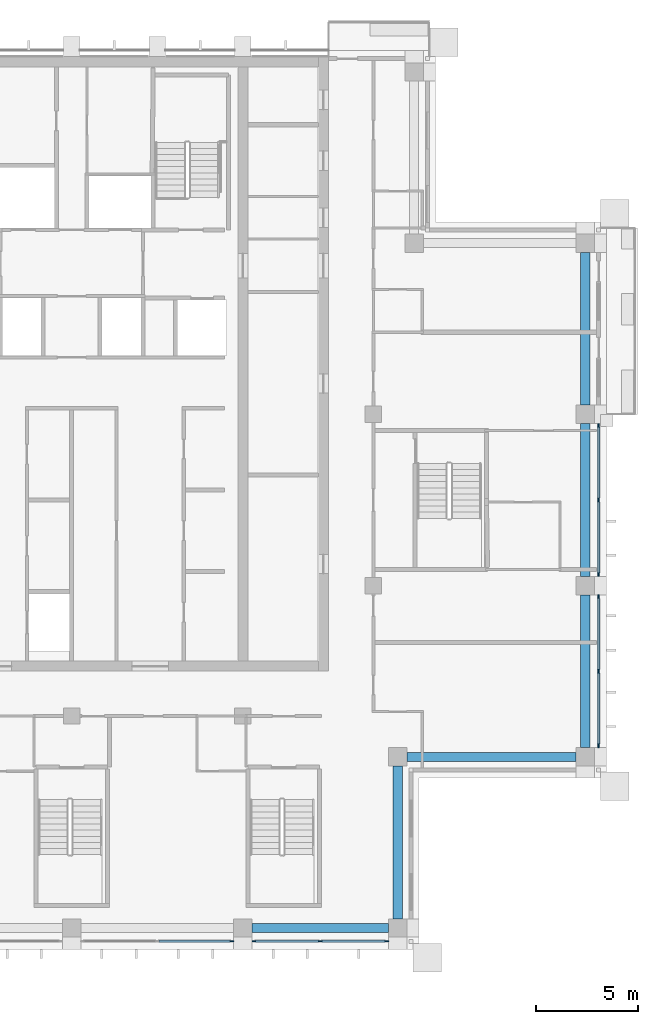
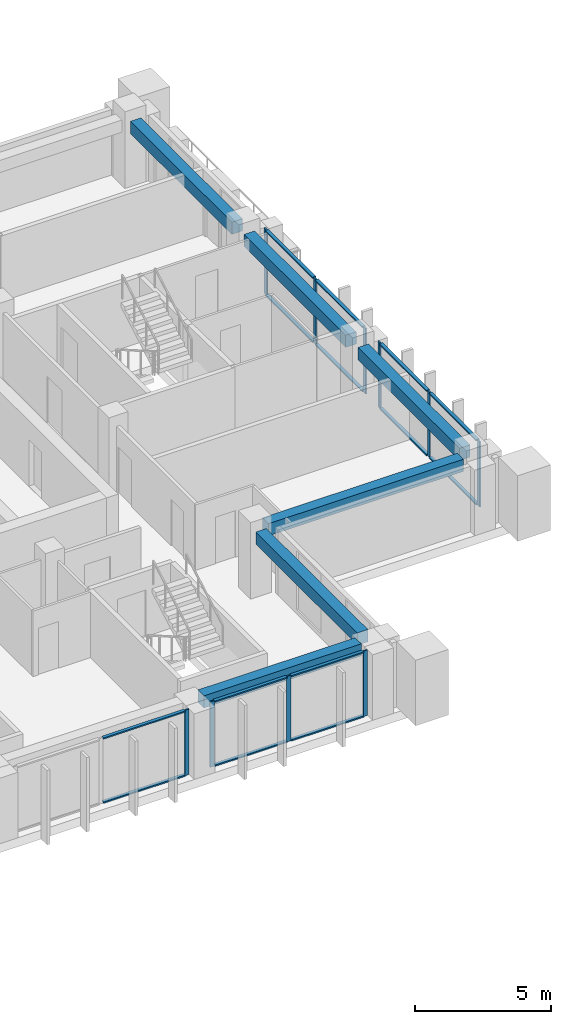
# One storey, part 5 of 18: 24 members, 6 beams, 4 elements without a shape of their own.
"""IFC4 building model written with IfcOpenShell, lengths in metres."""

from ifc_helpers import new_model, si_unit, direction, frame, origin, origin_2d, place, context, subcontext, project, spatial, rectangle, extrude, material, material_profile, profile_set, type_object, element, aggregate, save


model = new_model("IFC4")

# Units and contexts
model_context = context("Model", 3, precision=1e-05, world=origin(), true_north=direction((0.0, 1.0)))
body_context = subcontext(model_context, "Body", "Model", "MODEL_VIEW")
ifc_project = project(units=[si_unit("LENGTHUNIT", "METRE"), si_unit("AREAUNIT", "SQUARE_METRE"), si_unit("VOLUMEUNIT", "CUBIC_METRE"), si_unit("PLANEANGLEUNIT", "RADIAN"), si_unit("MASSUNIT", "GRAM", prefix="KILO")], contexts=[model_context])

# Site, building, storey
site_placement = place(None, origin())
site = spatial("IfcSite", under=ifc_project, at=site_placement, CompositionType="ELEMENT")
building_placement = place(site_placement, origin())
building = spatial("IfcBuilding", under=site, at=building_placement, Name="Vermilion Ogive Tower", CompositionType="ELEMENT")
storey_placement = place(building_placement, frame((0.0, 0.0, 261.39990234375)))
storey = spatial("IfcBuildingStorey", under=building, at=storey_placement, Name="L69", CompositionType="ELEMENT", Elevation=261.39990234375)

# Curtain wall, member
ifc_material_1 = material(Name="Low-iron laminated glazing in aluminium frame", Category="aluminium")
curtain_wall_type = type_object("IfcCurtainWallType", Name="Curtain wall CW7", PredefinedType="NOTDEFINED", material=ifc_material_1)
curtain_wall_1_placement = place(storey_placement, origin())
curtain_wall_1 = element("IfcCurtainWall", 1, at=curtain_wall_1_placement, inside=storey, type_object=curtain_wall_type, Name="Glazed skin S3", PredefinedType="NOTDEFINED")
ifc_material_2 = material(Name="Aluminium mullion", Category="aluminium")
ifc_material_profile_1 = material_profile(ifc_material_2, rectangle(XDim=0.06005859375, YDim=0.179931640625, at=origin_2d()), Name="AL 60x180")
ifc_profile_set_1 = profile_set([ifc_material_profile_1], Name="Aluminium mullion")
member_type_1 = type_object("IfcMemberType", Name="CW7 mullion 60x180", PredefinedType="MULLION", material=ifc_profile_set_1)
member_1_placement = place(storey_placement, frame((7.860107421875, -21.64990234375, 0.0), z_axis=(0.0, 0.0, 1.0), x_axis=(0.0, 1.0, 0.0)))
member_1 = element("IfcMember", 2, at=member_1_placement, type_object=member_type_1, Name="CW7-S3 mullion 3", PredefinedType="MULLION", context=body_context, shape_type="SweptSolid", body=[
    extrude(rectangle(XDim=0.06005859375, YDim=0.179931640625, at=origin_2d()), origin(), (0.0, 0.0, 1.0), 2.9501953125),
])

# Curtain wall, members
curtain_wall_2_placement = place(storey_placement, origin())
curtain_wall_2 = element("IfcCurtainWall", 3, at=curtain_wall_2_placement, inside=storey, type_object=curtain_wall_type, Name="Glazed skin S4", PredefinedType="NOTDEFINED")
member_2_placement = place(storey_placement, frame((8.93994140625, -21.64990234375, 0.0), z_axis=(0.0, 0.0, 1.0), x_axis=(0.0, 1.0, 0.0)))
member_2 = element("IfcMember", 4, at=member_2_placement, type_object=member_type_1, Name="CW7-S4 mullion 1", PredefinedType="MULLION", context=body_context, shape_type="SweptSolid", body=[
    extrude(rectangle(XDim=0.06005859375, YDim=0.179931640625, at=origin_2d()), origin(), (0.0, 0.0, 1.0), 2.9501953125),
])
member_3_placement = place(storey_placement, frame((12.199951171875, -21.64990234375, 0.0), z_axis=(0.0, 0.0, 1.0), x_axis=(0.0, 1.0, 0.0)))
member_3 = element("IfcMember", 5, at=member_3_placement, type_object=member_type_1, Name="CW7-S4 mullion 2", PredefinedType="MULLION", context=body_context, shape_type="SweptSolid", body=[
    extrude(rectangle(XDim=0.06005859375, YDim=0.179931640625, at=origin_2d()), origin(), (0.0, 0.0, 1.0), 2.9501953125),
])
member_4_placement = place(storey_placement, frame((15.4599609375, -21.64990234375, 0.0), z_axis=(0.0, 0.0, 1.0), x_axis=(0.0, 1.0, 0.0)))
member_4 = element("IfcMember", 6, at=member_4_placement, type_object=member_type_1, Name="CW7-S4 mullion 3", PredefinedType="MULLION", context=body_context, shape_type="SweptSolid", body=[
    extrude(rectangle(XDim=0.06005859375, YDim=0.179931640625, at=origin_2d()), origin(), (0.0, 0.0, 1.0), 2.9501953125),
])

curtain_wall_3_placement = place(storey_placement, origin())
curtain_wall_3 = element("IfcCurtainWall", 7, at=curtain_wall_3_placement, inside=storey, type_object=curtain_wall_type, Name="Glazed skin E1", PredefinedType="NOTDEFINED")
member_5_placement = place(storey_placement, frame((25.85009765625, -12.06005859375, 0.0), z_axis=(0.0, 0.0, 1.0), x_axis=(-1.0, 0.0, 0.0)))
member_5 = element("IfcMember", 8, at=member_5_placement, type_object=member_type_1, Name="CW7-E1 mullion 1", PredefinedType="MULLION", context=body_context, shape_type="SweptSolid", body=[
    extrude(rectangle(XDim=0.06005859375, YDim=0.179931640625, at=origin_2d()), origin(), (0.0, 0.0, 1.0), 2.9501953125),
])
member_6_placement = place(storey_placement, frame((25.85009765625, -8.39990234375, 0.0), z_axis=(0.0, 0.0, 1.0), x_axis=(-1.0, 0.0, 0.0)))
member_6 = element("IfcMember", 9, at=member_6_placement, type_object=member_type_1, Name="CW7-E1 mullion 2", PredefinedType="MULLION", context=body_context, shape_type="SweptSolid", body=[
    extrude(rectangle(XDim=0.06005859375, YDim=0.179931640625, at=origin_2d()), origin(), (0.0, 0.0, 1.0), 2.9501953125),
])
member_7_placement = place(storey_placement, frame((25.85009765625, -4.739990234375, 0.0), z_axis=(0.0, 0.0, 1.0), x_axis=(-1.0, 0.0, 0.0)))
member_7 = element("IfcMember", 10, at=member_7_placement, type_object=member_type_1, Name="CW7-E1 mullion 3", PredefinedType="MULLION", context=body_context, shape_type="SweptSolid", body=[
    extrude(rectangle(XDim=0.06005859375, YDim=0.179931640625, at=origin_2d()), origin(), (0.0, 0.0, 1.0), 2.9501953125),
])

curtain_wall_4_placement = place(storey_placement, origin())
curtain_wall_4 = element("IfcCurtainWall", 11, at=curtain_wall_4_placement, inside=storey, type_object=curtain_wall_type, Name="Glazed skin E2", PredefinedType="NOTDEFINED")
member_8_placement = place(storey_placement, frame((25.85009765625, -3.659912109375, 0.0), z_axis=(0.0, 0.0, 1.0), x_axis=(-1.0, 0.0, 0.0)))
member_8 = element("IfcMember", 12, at=member_8_placement, type_object=member_type_1, Name="CW7-E2 mullion 1", PredefinedType="MULLION", context=body_context, shape_type="SweptSolid", body=[
    extrude(rectangle(XDim=0.06005859375, YDim=0.179931640625, at=origin_2d()), origin(), (0.0, 0.0, 1.0), 2.9501953125),
])
member_9_placement = place(storey_placement, frame((25.85009765625, 0.0, 0.0), z_axis=(0.0, 0.0, 1.0), x_axis=(-1.0, 0.0, 0.0)))
member_9 = element("IfcMember", 13, at=member_9_placement, type_object=member_type_1, Name="CW7-E2 mullion 2", PredefinedType="MULLION", context=body_context, shape_type="SweptSolid", body=[
    extrude(rectangle(XDim=0.06005859375, YDim=0.179931640625, at=origin_2d()), origin(), (0.0, 0.0, 1.0), 2.9501953125),
])
member_10_placement = place(storey_placement, frame((25.85009765625, 3.659912109375, 0.0), z_axis=(0.0, 0.0, 1.0), x_axis=(-1.0, 0.0, 0.0)))
member_10 = element("IfcMember", 14, at=member_10_placement, type_object=member_type_1, Name="CW7-E2 mullion 3", PredefinedType="MULLION", context=body_context, shape_type="SweptSolid", body=[
    extrude(rectangle(XDim=0.06005859375, YDim=0.179931640625, at=origin_2d()), origin(), (0.0, 0.0, 1.0), 2.9501953125),
])

# Member
ifc_material_3 = material(Name="Aluminium transom", Category="aluminium")
ifc_material_profile_2 = material_profile(ifc_material_3, rectangle(XDim=0.139892578125, YDim=0.06005859375, at=origin_2d()), Name="AL 60x140")
ifc_profile_set_2 = profile_set([ifc_material_profile_2], Name="Aluminium transom")
member_type_2 = type_object("IfcMemberType", Name="CW7 transom 60x140", PredefinedType="USERDEFINED", material=ifc_profile_set_2)
member_11_placement = place(storey_placement, frame((4.2900390625, -21.64990234375, 0.030029296875), z_axis=(1.0, 0.0, 0.0), x_axis=(0.0, 1.0, 0.0)))
member_11 = element("IfcMember", 15, at=member_11_placement, type_object=member_type_2, Name="CW7-S3 transom 2.1", ObjectType="TRANSOM", PredefinedType="USERDEFINED", context=body_context, shape_type="SweptSolid", body=[
    extrude(rectangle(XDim=0.139892578125, YDim=0.06005859375, at=origin_2d()), origin(), (0.0, 0.0, 1.0), 3.47998046875),
])

member_12_placement = place(storey_placement, frame((4.2900390625, -21.64990234375, 2.920166015625), z_axis=(1.0, 0.0, 0.0), x_axis=(0.0, 1.0, 0.0)))
member_12 = element("IfcMember", 16, at=member_12_placement, type_object=member_type_2, Name="CW7-S3 transom 2.2", ObjectType="TRANSOM", PredefinedType="USERDEFINED", context=body_context, shape_type="SweptSolid", body=[
    extrude(rectangle(XDim=0.139892578125, YDim=0.06005859375, at=origin_2d()), origin(), (0.0, 0.0, 1.0), 3.47998046875),
])

aggregate(curtain_wall_1, [member_1, member_11, member_12])

member_13_placement = place(storey_placement, frame((9.030029296875, -21.64990234375, 0.030029296875), z_axis=(1.0, 0.0, 0.0), x_axis=(0.0, 1.0, 0.0)))
member_13 = element("IfcMember", 17, at=member_13_placement, type_object=member_type_2, Name="CW7-S4 transom 1.1", ObjectType="TRANSOM", PredefinedType="USERDEFINED", context=body_context, shape_type="SweptSolid", body=[
    extrude(rectangle(XDim=0.139892578125, YDim=0.06005859375, at=origin_2d()), origin(), (0.0, 0.0, 1.0), 3.080078125),
])

member_14_placement = place(storey_placement, frame((9.030029296875, -21.64990234375, 2.920166015625), z_axis=(1.0, 0.0, 0.0), x_axis=(0.0, 1.0, 0.0)))
member_14 = element("IfcMember", 18, at=member_14_placement, type_object=member_type_2, Name="CW7-S4 transom 1.2", ObjectType="TRANSOM", PredefinedType="USERDEFINED", context=body_context, shape_type="SweptSolid", body=[
    extrude(rectangle(XDim=0.139892578125, YDim=0.06005859375, at=origin_2d()), origin(), (0.0, 0.0, 1.0), 3.080078125),
])

member_15_placement = place(storey_placement, frame((12.2900390625, -21.64990234375, 0.030029296875), z_axis=(1.0, 0.0, 0.0), x_axis=(0.0, 1.0, 0.0)))
member_15 = element("IfcMember", 19, at=member_15_placement, type_object=member_type_2, Name="CW7-S4 transom 2.1", ObjectType="TRANSOM", PredefinedType="USERDEFINED", context=body_context, shape_type="SweptSolid", body=[
    extrude(rectangle(XDim=0.139892578125, YDim=0.06005859375, at=origin_2d()), origin(), (0.0, 0.0, 1.0), 3.080078125),
])

member_16_placement = place(storey_placement, frame((12.2900390625, -21.64990234375, 2.920166015625), z_axis=(1.0, 0.0, 0.0), x_axis=(0.0, 1.0, 0.0)))
member_16 = element("IfcMember", 20, at=member_16_placement, type_object=member_type_2, Name="CW7-S4 transom 2.2", ObjectType="TRANSOM", PredefinedType="USERDEFINED", context=body_context, shape_type="SweptSolid", body=[
    extrude(rectangle(XDim=0.139892578125, YDim=0.06005859375, at=origin_2d()), origin(), (0.0, 0.0, 1.0), 3.080078125),
])

aggregate(curtain_wall_2, [member_2, member_3, member_4, member_13, member_14, member_15, member_16])

member_17_placement = place(storey_placement, frame((25.85009765625, -11.969970703125, 0.030029296875), z_axis=(0.0, 1.0, 0.0), x_axis=(-1.0, 0.0, 0.0)))
member_17 = element("IfcMember", 21, at=member_17_placement, type_object=member_type_2, Name="CW7-E1 transom 1.1", ObjectType="TRANSOM", PredefinedType="USERDEFINED", context=body_context, shape_type="SweptSolid", body=[
    extrude(rectangle(XDim=0.139892578125, YDim=0.06005859375, at=origin_2d()), origin(), (0.0, 0.0, 1.0), 3.47998046875),
])

member_18_placement = place(storey_placement, frame((25.85009765625, -11.969970703125, 2.920166015625), z_axis=(0.0, 1.0, 0.0), x_axis=(-1.0, 0.0, 0.0)))
member_18 = element("IfcMember", 22, at=member_18_placement, type_object=member_type_2, Name="CW7-E1 transom 1.2", ObjectType="TRANSOM", PredefinedType="USERDEFINED", context=body_context, shape_type="SweptSolid", body=[
    extrude(rectangle(XDim=0.139892578125, YDim=0.06005859375, at=origin_2d()), origin(), (0.0, 0.0, 1.0), 3.47998046875),
])

member_19_placement = place(storey_placement, frame((25.85009765625, -8.31005859375, 0.030029296875), z_axis=(0.0, 1.0, 0.0), x_axis=(-1.0, 0.0, 0.0)))
member_19 = element("IfcMember", 23, at=member_19_placement, type_object=member_type_2, Name="CW7-E1 transom 2.1", ObjectType="TRANSOM", PredefinedType="USERDEFINED", context=body_context, shape_type="SweptSolid", body=[
    extrude(rectangle(XDim=0.139892578125, YDim=0.06005859375, at=origin_2d()), origin(), (0.0, 0.0, 1.0), 3.47998046875),
])

member_20_placement = place(storey_placement, frame((25.85009765625, -8.31005859375, 2.920166015625), z_axis=(0.0, 1.0, 0.0), x_axis=(-1.0, 0.0, 0.0)))
member_20 = element("IfcMember", 24, at=member_20_placement, type_object=member_type_2, Name="CW7-E1 transom 2.2", ObjectType="TRANSOM", PredefinedType="USERDEFINED", context=body_context, shape_type="SweptSolid", body=[
    extrude(rectangle(XDim=0.139892578125, YDim=0.06005859375, at=origin_2d()), origin(), (0.0, 0.0, 1.0), 3.47998046875),
])

aggregate(curtain_wall_3, [member_5, member_6, member_7, member_17, member_18, member_19, member_20])

member_21_placement = place(storey_placement, frame((25.85009765625, -3.570068359375, 0.030029296875), z_axis=(0.0, 1.0, 0.0), x_axis=(-1.0, 0.0, 0.0)))
member_21 = element("IfcMember", 25, at=member_21_placement, type_object=member_type_2, Name="CW7-E2 transom 1.1", ObjectType="TRANSOM", PredefinedType="USERDEFINED", context=body_context, shape_type="SweptSolid", body=[
    extrude(rectangle(XDim=0.139892578125, YDim=0.06005859375, at=origin_2d()), origin(), (0.0, 0.0, 1.0), 3.47998046875),
])

member_22_placement = place(storey_placement, frame((25.85009765625, -3.570068359375, 2.920166015625), z_axis=(0.0, 1.0, 0.0), x_axis=(-1.0, 0.0, 0.0)))
member_22 = element("IfcMember", 26, at=member_22_placement, type_object=member_type_2, Name="CW7-E2 transom 1.2", ObjectType="TRANSOM", PredefinedType="USERDEFINED", context=body_context, shape_type="SweptSolid", body=[
    extrude(rectangle(XDim=0.139892578125, YDim=0.06005859375, at=origin_2d()), origin(), (0.0, 0.0, 1.0), 3.47998046875),
])

member_23_placement = place(storey_placement, frame((25.85009765625, 0.090087890625, 0.030029296875), z_axis=(0.0, 1.0, 0.0), x_axis=(-1.0, 0.0, 0.0)))
member_23 = element("IfcMember", 27, at=member_23_placement, type_object=member_type_2, Name="CW7-E2 transom 2.1", ObjectType="TRANSOM", PredefinedType="USERDEFINED", context=body_context, shape_type="SweptSolid", body=[
    extrude(rectangle(XDim=0.139892578125, YDim=0.06005859375, at=origin_2d()), origin(), (0.0, 0.0, 1.0), 3.47998046875),
])

member_24_placement = place(storey_placement, frame((25.85009765625, 0.090087890625, 2.920166015625), z_axis=(0.0, 1.0, 0.0), x_axis=(-1.0, 0.0, 0.0)))
member_24 = element("IfcMember", 28, at=member_24_placement, type_object=member_type_2, Name="CW7-E2 transom 2.2", ObjectType="TRANSOM", PredefinedType="USERDEFINED", context=body_context, shape_type="SweptSolid", body=[
    extrude(rectangle(XDim=0.139892578125, YDim=0.06005859375, at=origin_2d()), origin(), (0.0, 0.0, 1.0), 3.47998046875),
])

aggregate(curtain_wall_4, [member_8, member_9, member_10, member_21, member_22, member_23, member_24])

# Beams
ifc_material_4 = material(Name="Concrete B45", Category="concrete")
ifc_material_profile_3 = material_profile(ifc_material_4, rectangle(XDim=0.449951171875, YDim=0.550048828125, at=origin_2d()), Name="450 x 550")
ifc_profile_set_3 = profile_set([ifc_material_profile_3], Name="Concrete B45")
beam_type = type_object("IfcBeamType", Name="Edge beam 450 x 550 B45", PredefinedType="BEAM", material=ifc_profile_set_3)
beam_1_placement = place(storey_placement, frame((8.85009765625, -21.0, 2.675048828125), z_axis=(1.0, 0.0, 0.0), x_axis=(0.0, 1.0, 0.0)))
element("IfcBeam", 29, at=beam_1_placement, inside=storey, type_object=beam_type, Name="L69-EB-4", PredefinedType="BEAM", context=body_context, shape_type="SweptSolid", body=[
    extrude(rectangle(XDim=0.449951171875, YDim=0.550048828125, at=origin_2d()), origin(), (0.0, 0.0, 1.0), 6.699951171875),
])
beam_2_placement = place(storey_placement, frame((16.0, -20.550048828125, 2.675048828125), z_axis=(0.0, 1.0, 0.0), x_axis=(-1.0, 0.0, 0.0)))
element("IfcBeam", 30, at=beam_2_placement, inside=storey, type_object=beam_type, Name="L69-EB-5", PredefinedType="BEAM", context=body_context, shape_type="SweptSolid", body=[
    extrude(rectangle(XDim=0.449951171875, YDim=0.550048828125, at=origin_2d()), origin(), (0.0, 0.0, 1.0), 7.5),
])
beam_3_placement = place(storey_placement, frame((16.449951171875, -12.60009765625, 2.675048828125), z_axis=(1.0, 0.0, 0.0), x_axis=(0.0, 1.0, 0.0)))
element("IfcBeam", 31, at=beam_3_placement, inside=storey, type_object=beam_type, Name="L69-EB-6", PredefinedType="BEAM", context=body_context, shape_type="SweptSolid", body=[
    extrude(rectangle(XDim=0.449951171875, YDim=0.550048828125, at=origin_2d()), origin(), (0.0, 0.0, 1.0), 8.300048828125),
])
for number, where, z_axis, x_axis, name in (
    (32, (25.199951171875, -12.14990234375, 2.675048828125), (0.0, 1.0, 0.0), (-1.0, 0.0, 0.0), "L69-EB-7"),
    (33, (25.199951171875, -3.75, 2.675048828125), (0.0, 1.0, 0.0), (-1.0, 0.0, 0.0), "L69-EB-8"),
    (34, (25.199951171875, 4.64990234375, 2.675048828125), (0.0, 1.0, 0.0), (-1.0, 0.0, 0.0), "L69-EB-9"),
):
    element("IfcBeam", number, at=place(storey_placement, frame(where, z_axis=z_axis, x_axis=x_axis)), inside=storey, type_object=beam_type, Name=name, PredefinedType="BEAM", context=body_context, shape_type="SweptSolid", body=[
        extrude(rectangle(XDim=0.449951171875, YDim=0.550048828125, at=origin_2d()), origin(), (0.0, 0.0, 1.0), 7.5),
    ])

save(model, "model.ifc")
